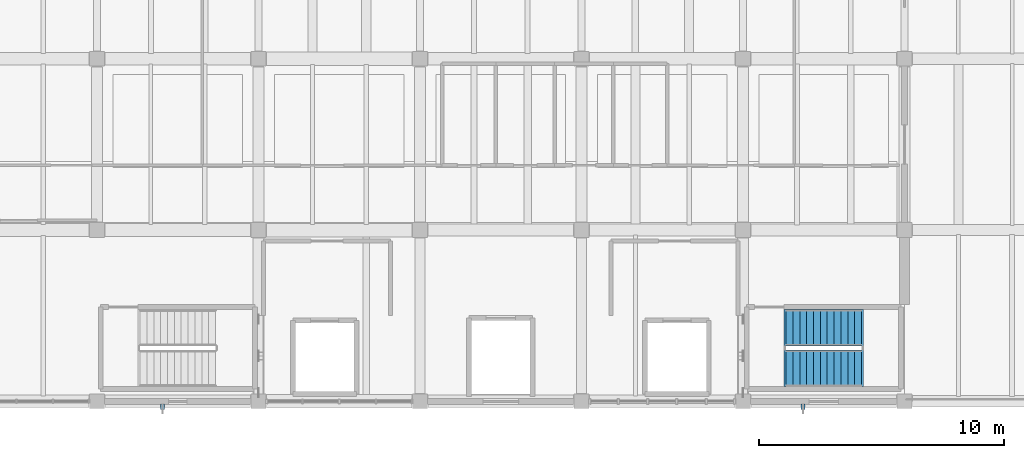
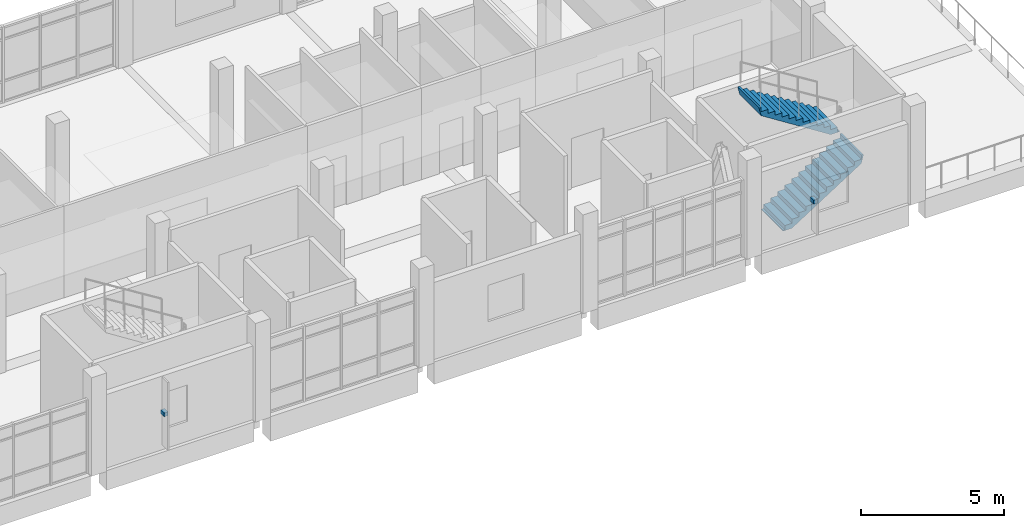
# One storey, part 11 of 14: 2 discrete accessories, 2 stair flights, 1 element without a shape of its own.
"""IFC4 building model written with IfcOpenShell, lengths in metres."""

from ifc_helpers import new_model, si_unit, direction, frame, origin, origin_2d, place, context, subcontext, project, spatial, polyline, rectangle, outline, extrude, material, type_object, element, aggregate, save


model = new_model("IFC4")

# Units and contexts
model_context = context("Model", 3, precision=1e-05, world=origin(), true_north=direction((0.0, 1.0)))
body_context = subcontext(model_context, "Body", "Model", "MODEL_VIEW")
ifc_project = project(units=[si_unit("LENGTHUNIT", "METRE"), si_unit("AREAUNIT", "SQUARE_METRE"), si_unit("VOLUMEUNIT", "CUBIC_METRE"), si_unit("PLANEANGLEUNIT", "RADIAN"), si_unit("MASSUNIT", "GRAM", prefix="KILO")], contexts=[model_context])

# Site, building, storey
site_placement = place(None, origin())
site = spatial("IfcSite", under=ifc_project, at=site_placement, CompositionType="ELEMENT")
building_placement = place(site_placement, origin())
building = spatial("IfcBuilding", under=site, at=building_placement, Name="Ciguamira Faculty of Natural Sciences", CompositionType="ELEMENT")
storey_placement = place(building_placement, frame((0.0, 0.0, 29.39990234375)))
storey = spatial("IfcBuildingStorey", under=building, at=storey_placement, Name="L07", CompositionType="ELEMENT", Elevation=29.39990234375)

# Stair, stair flights
ifc_material_1 = material(Name="Concrete C40/50", Category="concrete")
stair_type = type_object("IfcStairType", Name="Stair_STR-02", PredefinedType="HALF_TURN_STAIR", material=ifc_material_1)
stair_placement = place(storey_placement, origin())
stair = element("IfcStair", 1, at=stair_placement, inside=storey, type_object=stair_type, Name="L07 Tower East Exit Stair", PredefinedType="HALF_TURN_STAIR")
ifc_material_2 = material(Name="Precast concrete C40/50", Category="concrete")
stair_flight_type = type_object("IfcStairFlightType", Name="StairFlight_SFL-02", PredefinedType="STRAIGHT", material=ifc_material_2)
stair_flight_1_placement = place(storey_placement, frame((98.659912109375, 95.35009765625, 0.0), z_axis=(0.0, 0.0, 1.0), x_axis=(1.0, 0.0, 0.0)))
stair_flight_1 = element("IfcStairFlight", 2, at=stair_flight_1_placement, type_object=stair_flight_type, Name="ST-T2 flight 1", NumberOfRisers=12, NumberOfTreads=11, PredefinedType="STRAIGHT", RiserHeight=0.175, TreadLength=0.28, context=body_context, shape_type="SweptSolid", body=[
    extrude(outline(polyline([(-0.080078125, -0.034912109375), (-0.080078125, 0.0), (0.0, 0.0), (0.0, 0.175048828125), (0.280029296875, 0.175048828125), (0.280029296875, 0.35009765625), (0.56005859375, 0.35009765625), (0.56005859375, 0.52490234375), (0.840087890625, 0.52490234375), (0.840087890625, 0.699951171875), (1.1201171875, 0.699951171875), (1.1201171875, 0.875), (1.39990234375, 0.875), (1.39990234375, 1.050048828125), (1.679931640625, 1.050048828125), (1.679931640625, 1.22509765625), (1.9599609375, 1.22509765625), (1.9599609375, 1.39990234375), (2.239990234375, 1.39990234375), (2.239990234375, 1.574951171875), (2.52001953125, 1.574951171875), (2.52001953125, 1.75), (2.800048828125, 1.75), (2.800048828125, 1.925048828125), (3.080078125, 1.925048828125), (3.080078125, 2.10009765625), (3.16015625, 2.10009765625), (3.16015625, 2.065185546875), (3.080078125, 1.748291015625), (0.28271484375, -0.034912109375), (-0.080078125, -0.034912109375)])), frame((0.0, 0.75, 0.0), z_axis=(0.0, -1.0, 0.0), x_axis=(1.0, 0.0, 0.0)), (0.0, 0.0, 1.0), 1.5),
])
stair_flight_2_placement = place(storey_placement, frame((101.739990234375, 97.010009765625, 2.10009765625), z_axis=(0.0, 0.0, 1.0), x_axis=(-1.0, 0.0, 0.0)))
stair_flight_2 = element("IfcStairFlight", 3, at=stair_flight_2_placement, type_object=stair_flight_type, Name="ST-T2 flight 2", NumberOfRisers=12, NumberOfTreads=11, PredefinedType="STRAIGHT", RiserHeight=0.175, TreadLength=0.28, context=body_context, shape_type="SweptSolid", body=[
    extrude(outline(polyline([(-0.080078125, -0.034912109375), (-0.080078125, 0.0), (0.0, 0.0), (0.0, 0.175048828125), (0.280029296875, 0.175048828125), (0.280029296875, 0.35009765625), (0.56005859375, 0.35009765625), (0.56005859375, 0.52490234375), (0.840087890625, 0.52490234375), (0.840087890625, 0.699951171875), (1.1201171875, 0.699951171875), (1.1201171875, 0.875), (1.39990234375, 0.875), (1.39990234375, 1.050048828125), (1.679931640625, 1.050048828125), (1.679931640625, 1.22509765625), (1.9599609375, 1.22509765625), (1.9599609375, 1.39990234375), (2.239990234375, 1.39990234375), (2.239990234375, 1.574951171875), (2.52001953125, 1.574951171875), (2.52001953125, 1.75), (2.800048828125, 1.75), (2.800048828125, 1.925048828125), (3.080078125, 1.925048828125), (3.080078125, 2.10009765625), (3.16015625, 2.10009765625), (3.16015625, 2.065185546875), (3.080078125, 1.748291015625), (0.28271484375, -0.034912109375), (-0.080078125, -0.034912109375)])), frame((0.0, 0.75, 0.0), z_axis=(0.0, -1.0, 0.0), x_axis=(1.0, 0.0, 0.0)), (0.0, 0.0, 1.0), 1.5),
])
aggregate(stair, [stair_flight_1, stair_flight_2])

# Discrete accessories
ifc_material_3 = material(Name="Stainless steel fixing bracket", Category="steel")
discrete_accessory_type = type_object("IfcDiscreteAccessoryType", Name="FacadeBracket_BK01", PredefinedType="BRACKET", material=ifc_material_3)
for number, where, z_axis, x_axis, name in (
    (4, (73.175048828125, 93.780029296875, 1.544921875), (0.0, 0.0, 1.0), (1.0, 0.0, 0.0), "L07 sunshade fixing bracket 0033"),
    (5, (99.35009765625, 93.780029296875, 1.4453125), (0.0, 0.0, 1.0), (1.0, 0.0, 0.0), "L07 sunshade fixing bracket 0034"),
):
    element("IfcDiscreteAccessory", number, at=place(storey_placement, frame(where, z_axis=z_axis, x_axis=x_axis)), inside=storey, type_object=discrete_accessory_type, Name=name, PredefinedType="BRACKET", context=body_context, shape_type="SweptSolid", body=[
        extrude(rectangle(XDim=0.159912109375, YDim=0.239990234375, at=origin_2d()), origin(), (0.0, 0.0, 1.0), 0.159912109375),
    ])

save(model, "model.ifc")
